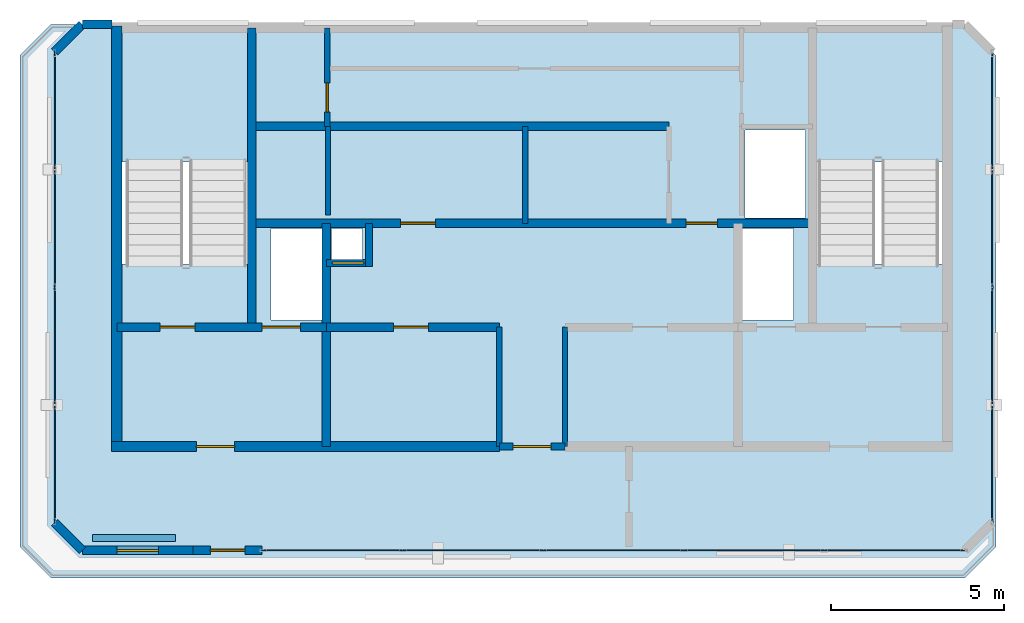
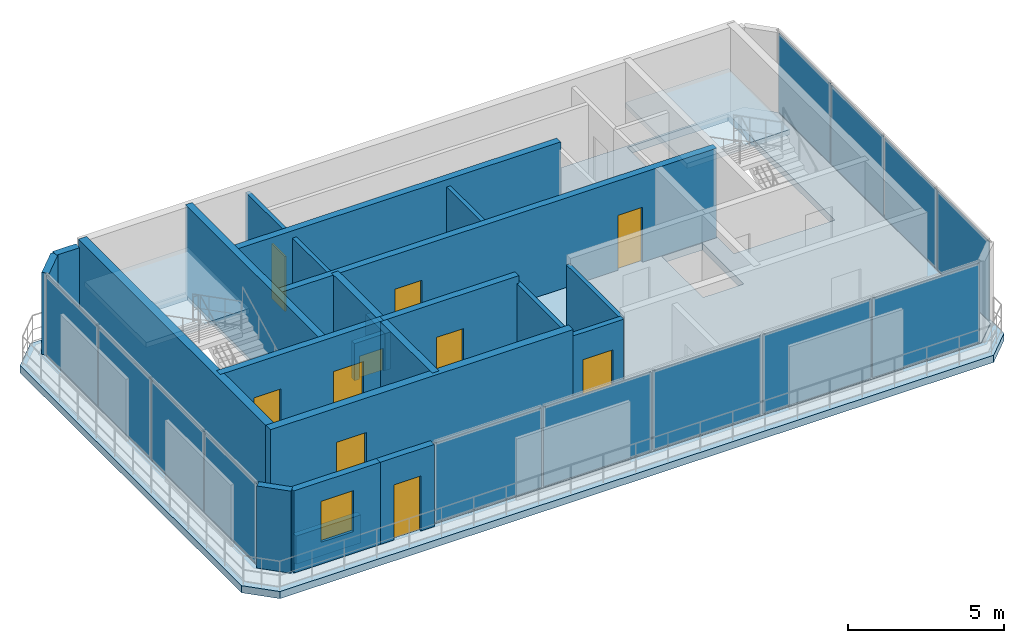
# One storey, part 5 of 7: 22 walls, 13 plates, 10 doors, 4 slabs, 1 window, 11 openings, 5 elements without a shape of their own.
"""IFC4 building model written with IfcOpenShell, lengths in metres."""

from ifc_helpers import new_model, si_unit, direction, frame, frame_2d, origin, origin_2d, place, context, subcontext, project, spatial, polyline, rectangle, outline, extrude, material, layer, layer_set, type_object, element, fill, aggregate, save


model = new_model("IFC4")

# Units and contexts
model_context = context("Model", 3, precision=1e-05, world=origin(), true_north=direction((0.0, 1.0)))
body_context = subcontext(model_context, "Body", "Model", "MODEL_VIEW")
ifc_project = project(units=[si_unit("LENGTHUNIT", "METRE"), si_unit("AREAUNIT", "SQUARE_METRE"), si_unit("VOLUMEUNIT", "CUBIC_METRE"), si_unit("PLANEANGLEUNIT", "RADIAN"), si_unit("MASSUNIT", "GRAM", prefix="KILO")], contexts=[model_context])

# Site, building, storey
site_placement = place(None, origin())
site = spatial("IfcSite", under=ifc_project, at=site_placement, CompositionType="ELEMENT")
building_placement = place(site_placement, origin())
building = spatial("IfcBuilding", under=site, at=building_placement, Name="Catumbela Crestline Tower", CompositionType="ELEMENT")
storey_placement = place(building_placement, frame((0.0, 0.0, 311.5)))
storey = spatial("IfcBuildingStorey", under=building, at=storey_placement, Name="L80", CompositionType="ELEMENT", Elevation=311.5)

# Curtain wall, plates
ifc_material_1 = material(Name="Aluminium alloy AW-6060-T66", Category="aluminium")
ifc_layer_1 = layer(ifc_material_1, 0.18, Name="Aluminium alloy AW-6060-T66")
ifc_layer_set_1 = layer_set([ifc_layer_1], Name="Aluminium alloy AW-6060-T66")
curtain_wall_type = type_object("IfcCurtainWallType", Name="CWS-OBS", PredefinedType="USERDEFINED", material=ifc_layer_set_1)
curtain_wall_1_placement = place(storey_placement, origin())
curtain_wall_1 = element("IfcCurtainWall", 1, at=curtain_wall_1_placement, inside=storey, type_object=curtain_wall_type, Name="L80 Stick Curtain Wall CW-L80-E0S2", ObjectType="STICK", PredefinedType="USERDEFINED")
ifc_material_2 = material(Name="Low-E laminated solar-control double glazing", Category="glass")
ifc_layer_2 = layer(ifc_material_2, 0.036, Name="Low-E laminated solar-control double glazing")
ifc_layer_set_2 = layer_set([ifc_layer_2], Name="Low-E laminated solar-control double glazing")
plate_type = type_object("IfcPlateType", Name="PNL-GLZ-OB", PredefinedType="CURTAIN_PANEL", material=ifc_layer_set_2)
plate_1_placement = place(storey_placement, frame((22.2462, 27.8, 0.06), z_axis=(0.0, 0.0, 1.0), x_axis=(1.0, 0.0, 0.0)))
plate_1 = element("IfcPlate", 2, at=plate_1_placement, type_object=plate_type, Name="CWS-OBS panel 1.1", PredefinedType="CURTAIN_PANEL", context=body_context, shape_type="SweptSolid", body=[
    extrude(rectangle(XDim=3.9625, YDim=0.034, at=origin_2d()), origin(), (0.0, 0.0, 1.0), 3.09),
])
plate_2_placement = place(storey_placement, frame((26.29, 27.8, 0.06), z_axis=(0.0, 0.0, 1.0), x_axis=(1.0, 0.0, 0.0)))
plate_2 = element("IfcPlate", 3, at=plate_2_placement, type_object=plate_type, Name="CWS-OBS panel 2.1", PredefinedType="CURTAIN_PANEL", context=body_context, shape_type="SweptSolid", body=[
    extrude(rectangle(XDim=3.995, YDim=0.034, at=origin_2d()), origin(), (0.0, 0.0, 1.0), 3.09),
])
plate_3_placement = place(storey_placement, frame((30.35, 27.8, 0.06), z_axis=(0.0, 0.0, 1.0), x_axis=(1.0, 0.0, 0.0)))
plate_3 = element("IfcPlate", 4, at=plate_3_placement, type_object=plate_type, Name="CWS-OBS panel 3.1", PredefinedType="CURTAIN_PANEL", context=body_context, shape_type="SweptSolid", body=[
    extrude(rectangle(XDim=3.995, YDim=0.034, at=origin_2d()), origin(), (0.0, 0.0, 1.0), 3.09),
])
plate_4_placement = place(storey_placement, frame((34.41, 27.8, 0.06), z_axis=(0.0, 0.0, 1.0), x_axis=(1.0, 0.0, 0.0)))
plate_4 = element("IfcPlate", 5, at=plate_4_placement, type_object=plate_type, Name="CWS-OBS panel 4.1", PredefinedType="CURTAIN_PANEL", context=body_context, shape_type="SweptSolid", body=[
    extrude(rectangle(XDim=3.995, YDim=0.034, at=origin_2d()), origin(), (0.0, 0.0, 1.0), 3.09),
])
plate_5_placement = place(storey_placement, frame((38.4538, 27.8, 0.06), z_axis=(0.0, 0.0, 1.0), x_axis=(1.0, 0.0, 0.0)))
plate_5 = element("IfcPlate", 6, at=plate_5_placement, type_object=plate_type, Name="CWS-OBS panel 5.1", PredefinedType="CURTAIN_PANEL", context=body_context, shape_type="SweptSolid", body=[
    extrude(rectangle(XDim=3.9625, YDim=0.034, at=origin_2d()), origin(), (0.0, 0.0, 1.0), 3.09),
])
aggregate(curtain_wall_1, [plate_1, plate_2, plate_3, plate_4, plate_5])

curtain_wall_2_placement = place(storey_placement, origin())
curtain_wall_2 = element("IfcCurtainWall", 7, at=curtain_wall_2_placement, inside=storey, type_object=curtain_wall_type, Name="L80 Stick Curtain Wall CW-L80-E2S1", ObjectType="STICK", PredefinedType="USERDEFINED")
plate_6_placement = place(storey_placement, frame((41.3, 30.3162, 0.06), z_axis=(0.0, 0.0, 1.0), x_axis=(0.0, 1.0, 0.0)))
plate_6 = element("IfcPlate", 8, at=plate_6_placement, type_object=plate_type, Name="CWS-OBS panel 1.1", PredefinedType="CURTAIN_PANEL", context=body_context, shape_type="SweptSolid", body=[
    extrude(rectangle(XDim=3.3025, YDim=0.034, at=origin_2d()), origin(), (0.0, 0.0, 1.0), 3.09),
])
plate_7_placement = place(storey_placement, frame((41.3, 33.7, 0.06), z_axis=(0.0, 0.0, 1.0), x_axis=(0.0, 1.0, 0.0)))
plate_7 = element("IfcPlate", 9, at=plate_7_placement, type_object=plate_type, Name="CWS-OBS panel 2.1", PredefinedType="CURTAIN_PANEL", context=body_context, shape_type="SweptSolid", body=[
    extrude(rectangle(XDim=3.335, YDim=0.034, at=origin_2d()), origin(), (0.0, 0.0, 1.0), 3.09),
])
plate_8_placement = place(storey_placement, frame((41.3, 37.1, 0.06), z_axis=(0.0, 0.0, 1.0), x_axis=(0.0, 1.0, 0.0)))
plate_8 = element("IfcPlate", 10, at=plate_8_placement, type_object=plate_type, Name="CWS-OBS panel 3.1", PredefinedType="CURTAIN_PANEL", context=body_context, shape_type="SweptSolid", body=[
    extrude(rectangle(XDim=3.335, YDim=0.034, at=origin_2d()), origin(), (0.0, 0.0, 1.0), 3.09),
])
plate_9_placement = place(storey_placement, frame((41.3, 40.4838, 0.06), z_axis=(0.0, 0.0, 1.0), x_axis=(0.0, 1.0, 0.0)))
plate_9 = element("IfcPlate", 11, at=plate_9_placement, type_object=plate_type, Name="CWS-OBS panel 4.1", PredefinedType="CURTAIN_PANEL", context=body_context, shape_type="SweptSolid", body=[
    extrude(rectangle(XDim=3.3025, YDim=0.034, at=origin_2d()), origin(), (0.0, 0.0, 1.0), 3.09),
])
aggregate(curtain_wall_2, [plate_6, plate_7, plate_8, plate_9])

curtain_wall_3_placement = place(storey_placement, origin())
curtain_wall_3 = element("IfcCurtainWall", 12, at=curtain_wall_3_placement, inside=storey, type_object=curtain_wall_type, Name="L80 Stick Curtain Wall CW-L80-E6S1", ObjectType="STICK", PredefinedType="USERDEFINED")
plate_10_placement = place(storey_placement, frame((14.2, 40.4838, 0.06), z_axis=(0.0, 0.0, 1.0), x_axis=(0.0, -1.0, 0.0)))
plate_10 = element("IfcPlate", 13, at=plate_10_placement, type_object=plate_type, Name="CWS-OBS panel 1.1", PredefinedType="CURTAIN_PANEL", context=body_context, shape_type="SweptSolid", body=[
    extrude(rectangle(XDim=3.3025, YDim=0.034, at=origin_2d()), origin(), (0.0, 0.0, 1.0), 3.09),
])
plate_11_placement = place(storey_placement, frame((14.2, 37.1, 0.06), z_axis=(0.0, 0.0, 1.0), x_axis=(0.0, -1.0, 0.0)))
plate_11 = element("IfcPlate", 14, at=plate_11_placement, type_object=plate_type, Name="CWS-OBS panel 2.1", PredefinedType="CURTAIN_PANEL", context=body_context, shape_type="SweptSolid", body=[
    extrude(rectangle(XDim=3.335, YDim=0.034, at=origin_2d()), origin(), (0.0, 0.0, 1.0), 3.09),
])
plate_12_placement = place(storey_placement, frame((14.2, 33.7, 0.06), z_axis=(0.0, 0.0, 1.0), x_axis=(0.0, -1.0, 0.0)))
plate_12 = element("IfcPlate", 15, at=plate_12_placement, type_object=plate_type, Name="CWS-OBS panel 3.1", PredefinedType="CURTAIN_PANEL", context=body_context, shape_type="SweptSolid", body=[
    extrude(rectangle(XDim=3.335, YDim=0.034, at=origin_2d()), origin(), (0.0, 0.0, 1.0), 3.09),
])
plate_13_placement = place(storey_placement, frame((14.2, 30.3162, 0.06), z_axis=(0.0, 0.0, 1.0), x_axis=(0.0, -1.0, 0.0)))
plate_13 = element("IfcPlate", 16, at=plate_13_placement, type_object=plate_type, Name="CWS-OBS panel 4.1", PredefinedType="CURTAIN_PANEL", context=body_context, shape_type="SweptSolid", body=[
    extrude(rectangle(XDim=3.3025, YDim=0.034, at=origin_2d()), origin(), (0.0, 0.0, 1.0), 3.09),
])
aggregate(curtain_wall_3, [plate_10, plate_11, plate_12, plate_13])

# Slabs
ifc_material_3 = material(Name="Concrete C45/55", Category="concrete")
ifc_layer_3 = layer(ifc_material_3, 0.28, Name="Concrete C45/55")
ifc_layer_set_3 = layer_set([ifc_layer_3], Name="Concrete C45/55")
slab_type_1 = type_object("IfcSlabType", Name="SL-280C", PredefinedType="FLOOR", material=ifc_layer_set_3)
slab_1_placement = place(storey_placement, frame((0.0, 0.0, -0.28)))
element("IfcSlab", 17, at=slab_1_placement, inside=storey, type_object=slab_type_1, Name="L80 Structural Floor Slab", PredefinedType="FLOOR", context=body_context, shape_type="SweptSolid", body=[
    extrude(outline(polyline([(15.0, 27.8), (40.5, 27.8), (41.3, 28.6), (41.3, 42.2), (40.5, 43.0), (15.0, 43.0), (14.2, 42.2), (14.2, 28.6), (15.0, 27.8)]), holes=[polyline([(16.13, 36.08), (19.87, 36.08), (19.87, 42.92), (16.13, 42.92), (16.13, 36.08)]), polyline([(36.13, 36.08), (39.87, 36.08), (39.87, 42.92), (36.13, 42.92), (36.13, 36.08)]), polyline([(20.45, 34.45), (21.95, 34.45), (21.95, 37.1), (20.45, 37.1), (20.45, 34.45)]), polyline([(34.05, 34.45), (35.55, 34.45), (35.55, 37.1), (34.05, 37.1), (34.05, 34.45)]), polyline([(34.15, 37.4), (35.9, 37.4), (35.9, 39.95), (34.15, 39.95), (34.15, 37.4)]), polyline([(22.2, 36.2), (23.1, 36.2), (23.1, 37.1), (22.2, 37.1), (22.2, 36.2)])]), origin(), (0.0, 0.0, 1.0), 0.28),
])
ifc_layer_4 = layer(ifc_material_3, 0.28, Name="Concrete C45/55")
ifc_layer_set_4 = layer_set([ifc_layer_4], Name="Concrete C45/55")
slab_type_2 = type_object("IfcSlabType", Name="SR-280C", PredefinedType="ROOF", material=ifc_layer_set_4)
slab_2_placement = place(storey_placement, frame((0.0, 0.0, -0.28)))
element("IfcSlab", 18, at=slab_2_placement, inside=storey, type_object=slab_type_2, Name="L80 Stepped Terrace Cap Roof Slab 1", PredefinedType="ROOF", context=body_context, shape_type="SweptSolid", body=[
    extrude(outline(polyline([(41.4, 27.9), (40.5, 27.0), (14.1, 27.0), (13.2, 27.9), (13.2, 42.1), (14.1, 43.0), (14.9859, 43.0), (14.19, 42.2041), (14.19, 28.5959), (14.9959, 27.79), (40.5041, 27.79), (41.31, 28.5959), (41.31, 42.19), (41.4, 42.1), (41.4, 27.9)])), origin(), (0.0, 0.0, 1.0), 0.28),
])

# Stair, slab
stair_type = type_object("IfcStairType", Name="ST-DLG", PredefinedType="HALF_TURN_STAIR", material=ifc_material_3)
stair_1_placement = place(storey_placement, origin())
stair_1 = element("IfcStair", 19, at=stair_1_placement, inside=storey, type_object=stair_type, Name="L80 West Core Pressurised Exit Stair ST-01", PredefinedType="HALF_TURN_STAIR")
ifc_layer_5 = layer(ifc_material_3, 0.2, Name="Concrete C45/55")
ifc_layer_set_5 = layer_set([ifc_layer_5], Name="Concrete C45/55")
slab_type_3 = type_object("IfcSlabType", Name="SL-LND", PredefinedType="LANDING", material=ifc_layer_set_5)
slab_3_placement = place(storey_placement, frame((0.0, 0.0, 1.55)))
slab_3 = element("IfcSlab", 20, at=slab_3_placement, type_object=slab_type_3, Name="ST-01 landing 1", PredefinedType="LANDING", context=body_context, shape_type="SweptSolid", body=[
    extrude(outline(polyline([(19.91, 39.02), (19.91, 42.96), (16.09, 42.96), (16.09, 39.02), (19.91, 39.02)])), origin(), (0.0, 0.0, 1.0), 0.2),
])
aggregate(stair_1, [slab_3])

stair_2_placement = place(storey_placement, origin())
stair_2 = element("IfcStair", 21, at=stair_2_placement, inside=storey, type_object=stair_type, Name="L80 East Core Pressurised Exit Stair ST-02", PredefinedType="HALF_TURN_STAIR")
slab_4_placement = place(storey_placement, frame((0.0, 0.0, 1.55)))
slab_4 = element("IfcSlab", 22, at=slab_4_placement, type_object=slab_type_3, Name="ST-02 landing 1", PredefinedType="LANDING", context=body_context, shape_type="SweptSolid", body=[
    extrude(outline(polyline([(39.91, 39.02), (39.91, 42.96), (36.09, 42.96), (36.09, 39.02), (39.91, 39.02)])), origin(), (0.0, 0.0, 1.0), 0.2),
])
aggregate(stair_2, [slab_4])

# Walls
ifc_material_4 = material(Name="Concrete C50/60", Category="concrete")
ifc_layer_6 = layer(ifc_material_4, 0.25, Name="Concrete C50/60")
ifc_layer_set_6 = layer_set([ifc_layer_6], Name="Concrete C50/60")
wall_type_1 = type_object("IfcWallType", Name="CW-250D", PredefinedType="SHEAR", material=ifc_layer_set_6)
wall_1_placement = place(storey_placement, frame((19.9, 34.25, 0.0), z_axis=(0.0, 0.0, 1.0), x_axis=(0.0, 1.0, 0.0)))
element("IfcWall", 23, at=wall_1_placement, inside=storey, type_object=wall_type_1, Name="L80 Structural Core Shear Wall WWEB", PredefinedType="SHEAR", context=body_context, shape_type="SweptSolid", body=[
    extrude(rectangle(XDim=8.65, YDim=0.25, at=frame_2d((4.325, 0.0))), origin(), (0.0, 0.0, 1.0), 3.5),
])
wall_2_placement = place(storey_placement, frame((22.05, 30.8, 0.0), z_axis=(0.0, 0.0, 1.0), x_axis=(0.0, 1.0, 0.0)))
element("IfcWall", 24, at=wall_2_placement, inside=storey, type_object=wall_type_1, Name="L80 Structural Core Shear Wall FFW", PredefinedType="SHEAR", context=body_context, shape_type="SweptSolid", body=[
    extrude(rectangle(XDim=6.45, YDim=0.25, at=frame_2d((3.225, 0.0))), origin(), (0.0, 0.0, 1.0), 3.5),
])

# Wall, openings, doors
wall_3_placement = place(storey_placement, frame((16.0, 34.25, 0.0), z_axis=(0.0, 0.0, 1.0), x_axis=(1.0, 0.0, 0.0)))
wall_3 = element("IfcWall", 25, at=wall_3_placement, inside=storey, type_object=wall_type_1, Name="L80 Structural Core Shear Wall ST1S", PredefinedType="SHEAR", context=body_context, shape_type="SweptSolid", body=[
    extrude(rectangle(XDim=6.05, YDim=0.25, at=frame_2d((3.025, 0.0))), origin(), (0.0, 0.0, 1.0), 3.5),
])
opening_1_placement = place(wall_3_placement, frame((1.25, 0.0, 0.0)))
opening_1 = element("IfcOpeningElement", 26, at=opening_1_placement, cuts=wall_3, Name="Opening DF9-100", PredefinedType="OPENING", context=body_context, shape_type="SweptSolid", body=[
    extrude(rectangle(XDim=1.0, YDim=2.15, at=frame_2d((0.5, 1.075))), frame((0.0, 0.135, 0.0), z_axis=(0.0, -1.0, 0.0), x_axis=(1.0, 0.0, 0.0)), (0.0, 0.0, 1.0), 0.27),
])
opening_2_placement = place(wall_3_placement, frame((4.2, 0.0, 0.0)))
opening_2 = element("IfcOpeningElement", 27, at=opening_2_placement, cuts=wall_3, Name="Opening LD-110", PredefinedType="OPENING", context=body_context, shape_type="SweptSolid", body=[
    extrude(rectangle(XDim=1.1, YDim=2.15, at=frame_2d((0.55, 1.075))), frame((0.0, 0.135, 0.0), z_axis=(0.0, -1.0, 0.0), x_axis=(1.0, 0.0, 0.0)), (0.0, 0.0, 1.0), 0.27),
])
ifc_material_5 = material(Name="Stainless steel EN 1.4401", Category="steel")
door_type_1 = type_object("IfcDoorType", Name="DF9-100", OperationType="NOTDEFINED", PredefinedType="DOOR", material=ifc_material_5)
door_1_placement = place(opening_1_placement, origin())
door_1 = element("IfcDoor", 28, at=door_1_placement, inside=storey, type_object=door_type_1, Name="L80 Interior Door DR-L80-ST01", OperationType="SINGLE_SWING_LEFT", OverallHeight=2.15, OverallWidth=1.0, PredefinedType="DOOR", context=body_context, shape_type="SweptSolid", body=[
    extrude(rectangle(XDim=1.0, YDim=2.15, at=frame_2d((0.5, 1.075))), frame((0.0, 0.025, 0.0), z_axis=(0.0, -1.0, 0.0), x_axis=(1.0, 0.0, 0.0)), (0.0, 0.0, 1.0), 0.05),
])
fill(opening_1, door_1)
door_type_2 = type_object("IfcDoorType", Name="LD-110", OperationType="NOTDEFINED", PredefinedType="DOOR", material=ifc_material_5)
door_2_placement = place(opening_2_placement, origin())
door_2 = element("IfcDoor", 29, at=door_2_placement, inside=storey, type_object=door_type_2, Name="L80 Lift Landing Sliding Door FL-01", OperationType="DOUBLE_DOOR_SLIDING", OverallHeight=2.15, OverallWidth=1.1, PredefinedType="DOOR", context=body_context, shape_type="SweptSolid", body=[
    extrude(rectangle(XDim=1.1, YDim=2.15, at=frame_2d((0.55, 1.075))), frame((0.0, 0.025, 0.0), z_axis=(0.0, -1.0, 0.0), x_axis=(1.0, 0.0, 0.0)), (0.0, 0.0, 1.0), 0.05),
])
fill(opening_2, door_2)

# Wall, opening, door
wall_4_placement = place(storey_placement, frame((22.05, 34.25, 0.0), z_axis=(0.0, 0.0, 1.0), x_axis=(1.0, 0.0, 0.0)))
wall_4 = element("IfcWall", 30, at=wall_4_placement, inside=storey, type_object=wall_type_1, Name="L80 Structural Core Shear Wall LIFTS-W", PredefinedType="SHEAR", context=body_context, shape_type="SweptSolid", body=[
    extrude(rectangle(XDim=5.0, YDim=0.25, at=frame_2d((2.5, 0.0))), origin(), (0.0, 0.0, 1.0), 3.5),
])
opening_3_placement = place(wall_4_placement, frame((1.95, 0.0, 0.0)))
opening_3 = element("IfcOpeningElement", 31, at=opening_3_placement, cuts=wall_4, Name="Opening DF9-100", PredefinedType="OPENING", context=body_context, shape_type="SweptSolid", body=[
    extrude(rectangle(XDim=1.0, YDim=2.15, at=frame_2d((0.5, 1.075))), frame((0.0, 0.135, 0.0), z_axis=(0.0, -1.0, 0.0), x_axis=(1.0, 0.0, 0.0)), (0.0, 0.0, 1.0), 0.27),
])
door_3_placement = place(opening_3_placement, origin())
door_3 = element("IfcDoor", 32, at=door_3_placement, inside=storey, type_object=door_type_1, Name="L80 Interior Door DR-L80-RECL1", OperationType="SINGLE_SWING_LEFT", OverallHeight=2.15, OverallWidth=1.0, PredefinedType="DOOR", context=body_context, shape_type="SweptSolid", body=[
    extrude(rectangle(XDim=1.0, YDim=2.15, at=frame_2d((0.5, 1.075))), frame((0.0, 0.025, 0.0), z_axis=(0.0, -1.0, 0.0), x_axis=(1.0, 0.0, 0.0)), (0.0, 0.0, 1.0), 0.05),
])
fill(opening_3, door_3)

# Wall, openings, doors
wall_5_placement = place(storey_placement, frame((19.9, 37.25, 0.0), z_axis=(0.0, 0.0, 1.0), x_axis=(1.0, 0.0, 0.0)))
wall_5 = element("IfcWall", 33, at=wall_5_placement, inside=storey, type_object=wall_type_1, Name="L80 Structural Core Shear Wall LIFTN", PredefinedType="SHEAR", context=body_context, shape_type="SweptSolid", body=[
    extrude(rectangle(XDim=16.2, YDim=0.25, at=frame_2d((8.1, 0.0))), origin(), (0.0, 0.0, 1.0), 3.5),
])
opening_4_placement = place(wall_5_placement, frame((4.3, 0.0, 0.0)))
opening_4 = element("IfcOpeningElement", 34, at=opening_4_placement, cuts=wall_5, Name="Opening DF9-100", PredefinedType="OPENING", context=body_context, shape_type="SweptSolid", body=[
    extrude(rectangle(XDim=1.0, YDim=2.15, at=frame_2d((0.5, 1.075))), frame((0.0, 0.135, 0.0), z_axis=(0.0, -1.0, 0.0), x_axis=(1.0, 0.0, 0.0)), (0.0, 0.0, 1.0), 0.27),
])
opening_5_placement = place(wall_5_placement, frame((12.55, 0.0, 0.0)))
opening_5 = element("IfcOpeningElement", 35, at=opening_5_placement, cuts=wall_5, Name="Opening DF9-090", PredefinedType="OPENING", context=body_context, shape_type="SweptSolid", body=[
    extrude(rectangle(XDim=0.9, YDim=2.15, at=frame_2d((0.45, 1.075))), frame((0.0, 0.135, 0.0), z_axis=(0.0, -1.0, 0.0), x_axis=(1.0, 0.0, 0.0)), (0.0, 0.0, 1.0), 0.27),
])
door_type_3 = type_object("IfcDoorType", Name="DF9-090", OperationType="NOTDEFINED", PredefinedType="DOOR", material=ifc_material_5)
door_4_placement = place(opening_5_placement, origin())
door_4 = element("IfcDoor", 36, at=door_4_placement, inside=storey, type_object=door_type_3, Name="L80 Interior Door DR-L80-CPAS1", OperationType="SINGLE_SWING_LEFT", OverallHeight=2.15, OverallWidth=0.9, PredefinedType="DOOR", context=body_context, shape_type="SweptSolid", body=[
    extrude(rectangle(XDim=0.9, YDim=2.15, at=frame_2d((0.45, 1.075))), frame((0.0, 0.025, 0.0), z_axis=(0.0, -1.0, 0.0), x_axis=(1.0, 0.0, 0.0)), (0.0, 0.0, 1.0), 0.05),
])
fill(opening_5, door_4)
door_5_placement = place(opening_4_placement, origin())
door_5 = element("IfcDoor", 37, at=door_5_placement, inside=storey, type_object=door_type_1, Name="L80 Interior Door DR-L80-RECL3", OperationType="SINGLE_SWING_LEFT", OverallHeight=2.15, OverallWidth=1.0, PredefinedType="DOOR", context=body_context, shape_type="SweptSolid", body=[
    extrude(rectangle(XDim=1.0, YDim=2.15, at=frame_2d((0.5, 1.075))), frame((0.0, 0.025, 0.0), z_axis=(0.0, -1.0, 0.0), x_axis=(1.0, 0.0, 0.0)), (0.0, 0.0, 1.0), 0.05),
])
fill(opening_4, door_5)

# Walls
wall_6_placement = place(storey_placement, frame((19.9, 40.05, 0.0), z_axis=(0.0, 0.0, 1.0), x_axis=(1.0, 0.0, 0.0)))
element("IfcWall", 38, at=wall_6_placement, inside=storey, type_object=wall_type_1, Name="L80 Structural Core Shear Wall COREN", PredefinedType="SHEAR", context=body_context, shape_type="SweptSolid", body=[
    extrude(rectangle(XDim=12.05, YDim=0.25, at=frame_2d((6.025, 0.0))), origin(), (0.0, 0.0, 1.0), 3.5),
])
ifc_layer_7 = layer(ifc_material_3, 0.3, Name="Concrete C45/55")
ifc_layer_set_7 = layer_set([ifc_layer_7], Name="Concrete C45/55")
wall_type_2 = type_object("IfcWallType", Name="CW-300C", PredefinedType="SHEAR", material=ifc_layer_set_7)
wall_7_placement = place(storey_placement, frame((16.0, 30.65, 0.0), z_axis=(0.0, 0.0, 1.0), x_axis=(0.0, 1.0, 0.0)))
element("IfcWall", 39, at=wall_7_placement, inside=storey, type_object=wall_type_2, Name="L80 Structural Core Shear Wall W", PredefinedType="SHEAR", context=body_context, shape_type="SweptSolid", body=[
    extrude(rectangle(XDim=12.3, YDim=0.3, at=frame_2d((6.15, 0.0))), origin(), (0.0, 0.0, 1.0), 3.5),
])

# Wall, opening, door
wall_8_placement = place(storey_placement, frame((15.85, 30.8, 0.0), z_axis=(0.0, 0.0, 1.0), x_axis=(1.0, 0.0, 0.0)))
wall_8 = element("IfcWall", 40, at=wall_8_placement, inside=storey, type_object=wall_type_2, Name="L80 Structural Core Shear Wall SW", PredefinedType="SHEAR", context=body_context, shape_type="SweptSolid", body=[
    extrude(rectangle(XDim=11.2, YDim=0.3, at=frame_2d((5.6, 0.0))), origin(), (0.0, 0.0, 1.0), 3.5),
])
opening_6_placement = place(wall_8_placement, frame((2.45, 0.0, 0.0)))
opening_6 = element("IfcOpeningElement", 41, at=opening_6_placement, cuts=wall_8, Name="Opening DF9-110", PredefinedType="OPENING", context=body_context, shape_type="SweptSolid", body=[
    extrude(rectangle(XDim=1.1, YDim=2.15, at=frame_2d((0.55, 1.075))), frame((0.0, 0.16, 0.0), z_axis=(0.0, -1.0, 0.0), x_axis=(1.0, 0.0, 0.0)), (0.0, 0.0, 1.0), 0.32),
])
door_type_4 = type_object("IfcDoorType", Name="DF9-110", OperationType="NOTDEFINED", PredefinedType="DOOR", material=ifc_material_5)
door_6_placement = place(opening_6_placement, origin())
door_6 = element("IfcDoor", 42, at=door_6_placement, inside=storey, type_object=door_type_4, Name="L80 Interior Door DR-L80-FFW-S", OperationType="SINGLE_SWING_LEFT", OverallHeight=2.15, OverallWidth=1.1, PredefinedType="DOOR", context=body_context, shape_type="SweptSolid", body=[
    extrude(rectangle(XDim=1.1, YDim=2.15, at=frame_2d((0.55, 1.075))), frame((0.0, 0.025, 0.0), z_axis=(0.0, -1.0, 0.0), x_axis=(1.0, 0.0, 0.0)), (0.0, 0.0, 1.0), 0.05),
])
fill(opening_6, door_6)

ifc_material_6 = material(Name="Acoustic gypsum and mineral-wool partition")
ifc_layer_8 = layer(ifc_material_6, 0.2, Name="Acoustic gypsum and mineral-wool partition")
ifc_layer_set_8 = layer_set([ifc_layer_8], Name="Acoustic gypsum and mineral-wool partition")
wall_type_3 = type_object("IfcWallType", Name="WC-200", PredefinedType="PARTITIONING", material=ifc_layer_set_8)
wall_9_placement = place(storey_placement, frame((27.05, 30.8, 0.0), z_axis=(0.0, 0.0, 1.0), x_axis=(1.0, 0.0, 0.0)))
wall_9 = element("IfcWall", 43, at=wall_9_placement, inside=storey, type_object=wall_type_3, Name="L80 Interior Partition PW-L80-CLOBS", PredefinedType="PARTITIONING", context=body_context, shape_type="SweptSolid", body=[
    extrude(rectangle(XDim=1.9, YDim=0.2, at=frame_2d((0.95, 0.0))), origin(), (0.0, 0.0, 1.0), 3.21),
])
opening_7_placement = place(wall_9_placement, frame((0.4, 0.0, 0.0)))
opening_7 = element("IfcOpeningElement", 44, at=opening_7_placement, cuts=wall_9, Name="Opening DF9-110", PredefinedType="OPENING", context=body_context, shape_type="SweptSolid", body=[
    extrude(rectangle(XDim=1.1, YDim=2.15, at=frame_2d((0.55, 1.075))), frame((0.0, 0.11, 0.0), z_axis=(0.0, -1.0, 0.0), x_axis=(1.0, 0.0, 0.0)), (0.0, 0.0, 1.0), 0.22),
])
door_7_placement = place(opening_7_placement, origin())
door_7 = element("IfcDoor", 45, at=door_7_placement, inside=storey, type_object=door_type_4, Name="L80 Interior Door DR-L80-CLOBS", OperationType="SINGLE_SWING_LEFT", OverallHeight=2.15, OverallWidth=1.1, PredefinedType="DOOR", context=body_context, shape_type="SweptSolid", body=[
    extrude(rectangle(XDim=1.1, YDim=2.15, at=frame_2d((0.55, 1.075))), frame((0.0, 0.025, 0.0), z_axis=(0.0, -1.0, 0.0), x_axis=(1.0, 0.0, 0.0)), (0.0, 0.0, 1.0), 0.05),
])
fill(opening_7, door_7)

ifc_material_7 = material(Name="Angolan grey-ochre granite", Category="masonry")
ifc_layer_9 = layer(ifc_material_7, 0.25, Name="Angolan grey-ochre granite")
ifc_layer_set_9 = layer_set([ifc_layer_9], Name="Angolan grey-ochre granite")
wall_type_4 = type_object("IfcWallType", Name="WE-250", PredefinedType="STANDARD", material=ifc_layer_set_9)
wall_10_placement = place(storey_placement, frame((18.2, 27.8, 0.0), z_axis=(0.0, 0.0, 1.0), x_axis=(1.0, 0.0, 0.0)))
wall_10 = element("IfcWall", 46, at=wall_10_placement, inside=storey, type_object=wall_type_4, Name="L80 Exterior Threshold Portal Wall DR-L80-STEP-S1", PredefinedType="STANDARD", context=body_context, shape_type="SweptSolid", body=[
    extrude(rectangle(XDim=2.0, YDim=0.25, at=frame_2d((1.0, 0.0))), origin(), (0.0, 0.0, 1.0), 3.21),
])
opening_8_placement = place(wall_10_placement, frame((0.5, 0.0, 0.0)))
opening_8 = element("IfcOpeningElement", 47, at=opening_8_placement, cuts=wall_10, Name="Opening DT-L80", PredefinedType="OPENING", context=body_context, shape_type="SweptSolid", body=[
    extrude(rectangle(XDim=1.0, YDim=2.15, at=frame_2d((0.5, 1.075))), frame((0.0, 0.135, 0.0), z_axis=(0.0, -1.0, 0.0), x_axis=(1.0, 0.0, 0.0)), (0.0, 0.0, 1.0), 0.27),
])
door_type_5 = type_object("IfcDoorType", Name="DB-1000", OperationType="NOTDEFINED", PredefinedType="DOOR", material=ifc_material_1)
door_8_placement = place(opening_8_placement, origin())
door_8 = element("IfcDoor", 48, at=door_8_placement, inside=storey, type_object=door_type_5, Name="L80 Stepped Terrace Access Door", OperationType="SINGLE_SWING_LEFT", OverallHeight=2.15, OverallWidth=1.0, PredefinedType="DOOR", context=body_context, shape_type="SweptSolid", body=[
    extrude(rectangle(XDim=1.0, YDim=2.15, at=frame_2d((0.5, 1.075))), frame((0.0, 0.025, 0.0), z_axis=(0.0, -1.0, 0.0), x_axis=(1.0, 0.0, 0.0)), (0.0, 0.0, 1.0), 0.05),
])
fill(opening_8, door_8)

# Wall, opening, window
wall_11_placement = place(storey_placement, frame((15.0, 27.8, 0.0), z_axis=(0.0, 0.0, 1.0), x_axis=(1.0, 0.0, 0.0)))
wall_11 = element("IfcWall", 49, at=wall_11_placement, inside=storey, type_object=wall_type_4, Name="L80 Granite Punched Window Wall 0-1", PredefinedType="STANDARD", context=body_context, shape_type="SweptSolid", body=[
    extrude(rectangle(XDim=3.2, YDim=0.25, at=frame_2d((1.6, 0.0))), origin(), (0.0, 0.0, 1.0), 3.21),
])
opening_9_placement = place(wall_11_placement, frame((1.0, 0.0, 0.85)))
opening_9 = element("IfcOpeningElement", 50, at=opening_9_placement, cuts=wall_11, Name="Opening WN-02", PredefinedType="OPENING", context=body_context, shape_type="SweptSolid", body=[
    extrude(rectangle(XDim=1.2, YDim=1.6, at=frame_2d((0.6, 0.8))), frame((0.0, 0.135, 0.0), z_axis=(0.0, -1.0, 0.0), x_axis=(1.0, 0.0, 0.0)), (0.0, 0.0, 1.0), 0.27),
])
window_type = type_object("IfcWindowType", Name="WO-1200", PartitioningType="SINGLE_PANEL", PredefinedType="WINDOW", material=ifc_material_2)
window_placement = place(opening_9_placement, origin())
window = element("IfcWindow", 51, at=window_placement, inside=storey, type_object=window_type, Name="L80 Facade Vision Window 646", OverallHeight=1.6, OverallWidth=1.2, PartitioningType="SINGLE_PANEL", PredefinedType="WINDOW", context=body_context, shape_type="SweptSolid", body=[
    extrude(rectangle(XDim=1.2, YDim=1.6, at=frame_2d((0.6, 0.8))), frame((0.0, 0.03, 0.0), z_axis=(0.0, -1.0, 0.0), x_axis=(1.0, 0.0, 0.0)), (0.0, 0.0, 1.0), 0.06),
])
fill(opening_9, window)

# Walls
wall_12_placement = place(storey_placement, frame((15.86, 43.0, 0.0), z_axis=(0.0, 0.0, 1.0), x_axis=(-1.0, 0.0, 0.0)))
element("IfcWall", 52, at=wall_12_placement, inside=storey, type_object=wall_type_4, Name="L80 Granite Punched Window Wall 4-2", PredefinedType="STANDARD", context=body_context, shape_type="SweptSolid", body=[
    extrude(rectangle(XDim=0.86, YDim=0.25, at=frame_2d((0.43, 0.0))), origin(), (0.0, 0.0, 1.0), 3.21),
])
for number, where, z_axis, x_axis, name in (
    (53, (15.0, 43.0, 0.0), (0.0, 0.0, 1.0), (-0.707106781187, -0.707106781187, 0.0), "L80 Granite Punched Window Wall 5-1"),
    (54, (14.2, 28.6, 0.0), (0.0, 0.0, 1.0), (0.707106781187, -0.707106781187, 0.0), "L80 Granite Punched Window Wall 7-1"),
):
    element("IfcWall", number, at=place(storey_placement, frame(where, z_axis=z_axis, x_axis=x_axis)), inside=storey, type_object=wall_type_4, Name=name, PredefinedType="STANDARD", context=body_context, shape_type="SweptSolid", body=[
        extrude(rectangle(XDim=1.1314, YDim=0.25, at=frame_2d((0.5657, 0.0))), origin(), (0.0, 0.0, 1.0), 3.21),
    ])

# Wall, opening, door
ifc_material_8 = material(Name="Concrete C40/50", Category="concrete")
ifc_layer_10 = layer(ifc_material_8, 0.2, Name="Concrete C40/50")
ifc_layer_set_10 = layer_set([ifc_layer_10], Name="Concrete C40/50")
wall_type_5 = type_object("IfcWallType", Name="WK-200", PredefinedType="PARAPET", material=ifc_layer_set_10)
wall_13_placement = place(storey_placement, frame((22.05, 36.1, 0.0), z_axis=(0.0, 0.0, 1.0), x_axis=(1.0, 0.0, 0.0)))
wall_13 = element("IfcWall", 55, at=wall_13_placement, inside=storey, type_object=wall_type_5, Name="L80 Overrun Maintenance Access Bulkhead", PredefinedType="PARAPET", context=body_context, shape_type="SweptSolid", body=[
    extrude(rectangle(XDim=1.33, YDim=0.2, at=frame_2d((0.665, 0.0))), origin(), (0.0, 0.0, 1.0), 1.45),
])
opening_10_placement = place(wall_13_placement, frame((0.18, 0.0, 0.0)))
opening_10 = element("IfcOpeningElement", 56, at=opening_10_placement, cuts=wall_13, Name="Opening DH-04", PredefinedType="OPENING", context=body_context, shape_type="SweptSolid", body=[
    extrude(rectangle(XDim=0.9, YDim=0.9, at=frame_2d((0.45, 0.45))), frame((0.0, 0.11, 0.0), z_axis=(0.0, -1.0, 0.0), x_axis=(1.0, 0.0, 0.0)), (0.0, 0.0, 1.0), 0.22),
])
door_type_6 = type_object("IfcDoorType", Name="DH-0900", OperationType="NOTDEFINED", PredefinedType="TRAPDOOR", material=ifc_material_5)
door_9_placement = place(opening_10_placement, origin())
door_9 = element("IfcDoor", 57, at=door_9_placement, inside=storey, type_object=door_type_6, Name="L80 Maintenance Access Trapdoor 4", OperationType="SINGLE_SWING_LEFT", OverallHeight=0.9, OverallWidth=0.9, PredefinedType="TRAPDOOR", context=body_context, shape_type="SweptSolid", body=[
    extrude(rectangle(XDim=0.9, YDim=0.9, at=frame_2d((0.45, 0.45))), frame((0.0, 0.025, 0.0), z_axis=(0.0, -1.0, 0.0), x_axis=(1.0, 0.0, 0.0)), (0.0, 0.0, 1.0), 0.05),
])
fill(opening_10, door_9)

# Walls
wall_14_placement = place(storey_placement, frame((23.28, 36.0, 0.0), z_axis=(0.0, 0.0, 1.0), x_axis=(0.0, 1.0, 0.0)))
element("IfcWall", 58, at=wall_14_placement, inside=storey, type_object=wall_type_5, Name="L80 Overrun Maintenance Access East Kerb", PredefinedType="PARAPET", context=body_context, shape_type="SweptSolid", body=[
    extrude(rectangle(XDim=1.25, YDim=0.2, at=frame_2d((0.625, 0.0))), origin(), (0.0, 0.0, 1.0), 1.45),
])
ifc_layer_11 = layer(ifc_material_8, 0.2, Name="Concrete C40/50")
ifc_layer_set_11 = layer_set([ifc_layer_11], Name="Concrete C40/50")
wall_type_6 = type_object("IfcWallType", Name="WP-200", PredefinedType="PARAPET", material=ifc_layer_set_11)
wall_15_placement = place(storey_placement, frame((15.3, 28.16, 0.0), z_axis=(0.0, 0.0, 1.0), x_axis=(1.0, 0.0, 0.0)))
element("IfcWall", 59, at=wall_15_placement, inside=storey, type_object=wall_type_6, Name="L80 Crown Terrace Parapet Upstand 4", PredefinedType="PARAPET", context=body_context, shape_type="SweptSolid", body=[
    extrude(rectangle(XDim=2.4, YDim=0.2, at=frame_2d((1.2, 0.0))), origin(), (0.0, 0.0, 1.0), 1.1),
])

# Wall, opening, door
ifc_layer_12 = layer(ifc_material_6, 0.15, Name="Acoustic gypsum and mineral-wool partition")
ifc_layer_set_12 = layer_set([ifc_layer_12], Name="Acoustic gypsum and mineral-wool partition")
wall_type_7 = type_object("IfcWallType", Name="WP-150", PredefinedType="PARTITIONING", material=ifc_layer_set_12)
wall_16_placement = place(storey_placement, frame((22.08, 40.05, 0.0), z_axis=(0.0, 0.0, 1.0), x_axis=(0.0, 1.0, 0.0)))
wall_16 = element("IfcWall", 60, at=wall_16_placement, inside=storey, type_object=wall_type_7, Name="L80 Interior Partition PW-L80-CR-WCW", PredefinedType="PARTITIONING", context=body_context, shape_type="SweptSolid", body=[
    extrude(rectangle(XDim=2.85, YDim=0.15, at=frame_2d((1.425, 0.0))), origin(), (0.0, 0.0, 1.0), 3.21),
])
opening_11_placement = place(wall_16_placement, frame((0.41, 0.0, 0.0)))
opening_11 = element("IfcOpeningElement", 61, at=opening_11_placement, cuts=wall_16, Name="Opening DI-085", PredefinedType="OPENING", context=body_context, shape_type="SweptSolid", body=[
    extrude(rectangle(XDim=0.85, YDim=2.15, at=frame_2d((0.425, 1.075))), frame((0.0, 0.085, 0.0), z_axis=(0.0, -1.0, 0.0), x_axis=(1.0, 0.0, 0.0)), (0.0, 0.0, 1.0), 0.17),
])
door_type_7 = type_object("IfcDoorType", Name="DI-085", OperationType="NOTDEFINED", PredefinedType="DOOR", material=ifc_material_1)
door_10_placement = place(opening_11_placement, origin())
door_10 = element("IfcDoor", 62, at=door_10_placement, inside=storey, type_object=door_type_7, Name="L80 Interior Door DR-L80-CRWC", OperationType="SINGLE_SWING_LEFT", OverallHeight=2.15, OverallWidth=0.85, PredefinedType="DOOR", context=body_context, shape_type="SweptSolid", body=[
    extrude(rectangle(XDim=0.85, YDim=2.15, at=frame_2d((0.425, 1.075))), frame((0.0, 0.025, 0.0), z_axis=(0.0, -1.0, 0.0), x_axis=(1.0, 0.0, 0.0)), (0.0, 0.0, 1.0), 0.05),
])
fill(opening_11, door_10)

# Walls
ifc_layer_13 = layer(ifc_material_6, 0.15, Name="Acoustic gypsum and mineral-wool partition")
ifc_layer_set_13 = layer_set([ifc_layer_13], Name="Acoustic gypsum and mineral-wool partition")
wall_type_8 = type_object("IfcWallType", Name="WS-150", PredefinedType="PLUMBINGWALL", material=ifc_layer_set_13)
for number, where, z_axis, x_axis, name in (
    (63, (27.05, 30.8, 0.0), (0.0, 0.0, 1.0), (0.0, 1.0, 0.0), "L80 Interior Partition PW-L80-THRW"),
    (64, (28.95, 30.8, 0.0), (0.0, 0.0, 1.0), (0.0, 1.0, 0.0), "L80 Interior Partition PW-L80-THRE"),
):
    element("IfcWall", number, at=place(storey_placement, frame(where, z_axis=z_axis, x_axis=x_axis)), inside=storey, type_object=wall_type_8, Name=name, PredefinedType="PLUMBINGWALL", context=body_context, shape_type="SweptSolid", body=[
        extrude(rectangle(XDim=3.45, YDim=0.15, at=frame_2d((1.725, 0.0))), origin(), (0.0, 0.0, 1.0), 3.21),
    ])
wall_17_placement = place(storey_placement, frame((22.1, 37.4897, 0.0), z_axis=(0.0, 0.0, 1.0), x_axis=(0.0, 1.0, 0.0)))
element("IfcWall", 65, at=wall_17_placement, inside=storey, type_object=wall_type_8, Name="L80 Interior Partition PW-L80-SHH0", PredefinedType="PLUMBINGWALL", context=body_context, shape_type="SweptSolid", body=[
    extrude(rectangle(XDim=2.5603, YDim=0.15, at=frame_2d((1.2801, 0.0))), origin(), (0.0, 0.0, 1.0), 3.21),
])
wall_18_placement = place(storey_placement, frame((27.8, 37.25, 0.0), z_axis=(0.0, 0.0, 1.0), x_axis=(0.0, 1.0, 0.0)))
element("IfcWall", 66, at=wall_18_placement, inside=storey, type_object=wall_type_8, Name="L80 Interior Partition PW-L80-SHH3", PredefinedType="PLUMBINGWALL", context=body_context, shape_type="SweptSolid", body=[
    extrude(rectangle(XDim=2.8, YDim=0.15, at=frame_2d((1.4, 0.0))), origin(), (0.0, 0.0, 1.0), 3.21),
])

save(model, "model.ifc")
